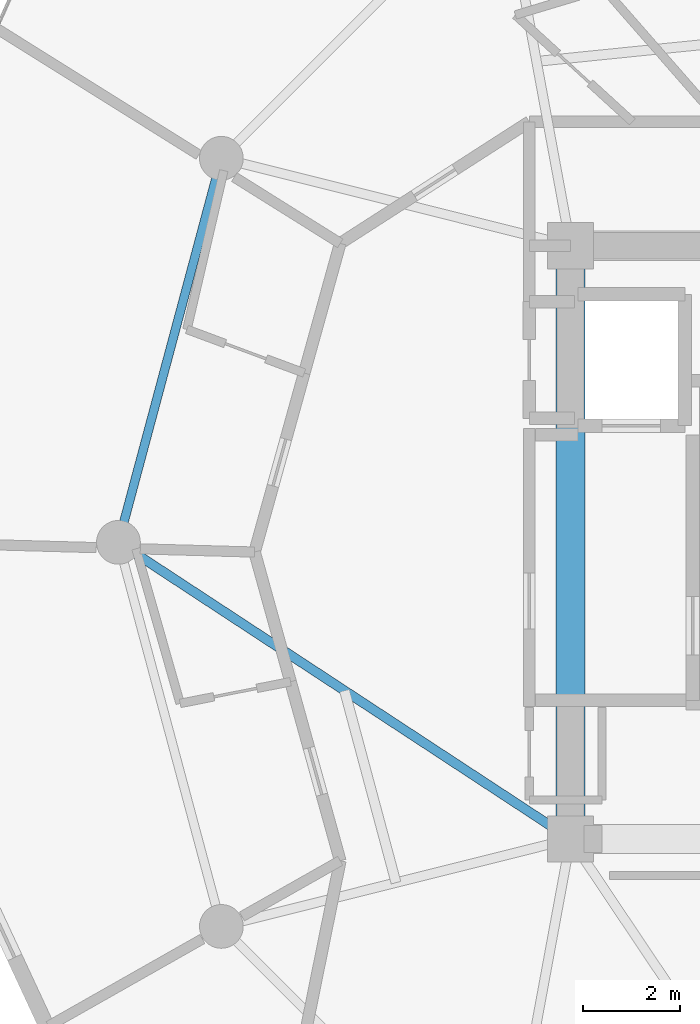
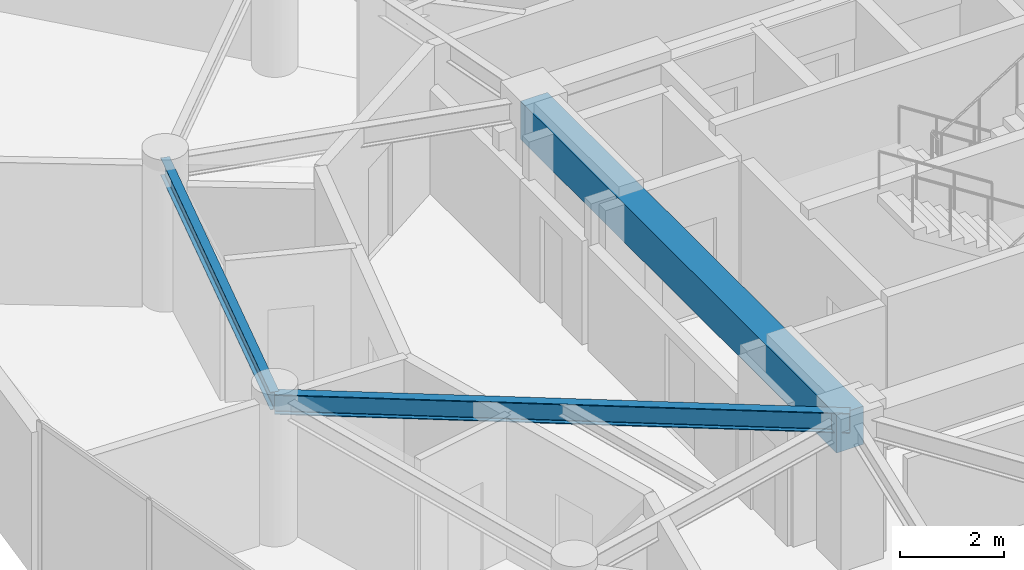
# One storey, part 8 of 22: 3 beams.
"""IFC4 building model written with IfcOpenShell, lengths in metres."""

import ifcopenshell
import ifcopenshell.guid

model = None  # the IFC model being written
_history = None  # IfcOwnerHistory: only IFC2X3 demands one
_inside = {}  # id of a spatial element -> (the spatial element, [elements in it])
_under = {}  # id of a project, library or spatial element -> (it, [spatial elements below it])
_declared = {}  # id of a project -> (the project, [libraries it declares])
_typed = {}  # id of a type object -> (the type object, [elements of that type])
_made_of = {}  # id of a material, layer set ... -> (it, [elements and type objects made of it])


def new_model(schema):
    """Start an empty IFC model of exactly this schema.

    Asked for "IFC4X3", IfcOpenShell would pick the latest addendum, in which some entities
    have other attributes; the version numbers below select the first issue.
    IFC2X3 requires an IfcOwnerHistory on every rooted entity: one is made here for all.
    """
    global model, _history
    if schema == "IFC4X3":
        model = ifcopenshell.file(schema_version=(4, 3, 0, 0))
    else:
        model = ifcopenshell.file(schema=schema)
    _inside.clear()
    _under.clear()
    _declared.clear()
    _typed.clear()
    _made_of.clear()
    _history = None
    if model.schema == "IFC2X3":
        org = make("IfcOrganization", Name="unknown")
        user = make(
            "IfcPersonAndOrganization",
            ThePerson=make("IfcPerson", FamilyName="unknown"),
            TheOrganization=org,
        )
        app = make(
            "IfcApplication",
            ApplicationDeveloper=org,
            Version="unknown",
            ApplicationFullName="unknown",
            ApplicationIdentifier="unknown",
        )
        _history = make(
            "IfcOwnerHistory",
            OwningUser=user,
            OwningApplication=app,
            ChangeAction="ADDED",
            CreationDate=0,
        )
    return model


def make(cls, **values):
    """One entity of the class cls with the attributes given. An attribute that is None is left unset."""
    return model.create_entity(
        cls, **{name: value for name, value in values.items() if value is not None}
    )


def rooted(cls, **values):
    """An entity with a GlobalId (a new one), such as an element, a storey or a relation."""
    return make(cls, GlobalId=ifcopenshell.guid.new(), OwnerHistory=_history, **values)


def si_unit(unit_type, name, prefix=None):
    """IfcSIUnit, for example si_unit("LENGTHUNIT", "METRE", prefix="MILLI")."""
    return make("IfcSIUnit", UnitType=unit_type, Prefix=prefix, Name=name)


def assignment(units):
    """IfcUnitAssignment: the units of a project."""
    return None if units is None else make("IfcUnitAssignment", Units=units)


def point(xyz):
    """IfcCartesianPoint."""
    return None if xyz is None else make("IfcCartesianPoint", Coordinates=xyz)


def direction(xyz):
    """IfcDirection."""
    return None if xyz is None else make("IfcDirection", DirectionRatios=xyz)


def frame(location, z_axis=None, x_axis=None):
    """IfcAxis2Placement3D, a coordinate frame: its origin and axes. An axis left out is left unset."""
    return make(
        "IfcAxis2Placement3D",
        Location=point(location),
        Axis=direction(z_axis),
        RefDirection=direction(x_axis),
    )


def frame_2d(location, x_axis=None):
    """IfcAxis2Placement2D, a coordinate frame in the plane: its origin and x axis."""
    return make(
        "IfcAxis2Placement2D", Location=point(location), RefDirection=direction(x_axis)
    )


def origin():
    """The frame at (0, 0, 0) with its axes left unset."""
    return frame((0.0, 0.0, 0.0))


def origin_2d():
    """The frame at (0, 0) in the plane with its x axis left unset."""
    return frame_2d((0.0, 0.0))


def place(relative_to, where):
    """IfcLocalPlacement: puts the frame where relative to a parent placement (None: the world)."""
    return make(
        "IfcLocalPlacement", PlacementRelTo=relative_to, RelativePlacement=where
    )


def context(
    kind, dimensions, precision=None, world=None, true_north=None, identifier=None
):
    """IfcGeometricRepresentationContext, for example the 3D "Model" context."""
    return make(
        "IfcGeometricRepresentationContext",
        ContextIdentifier=identifier,
        ContextType=kind,
        CoordinateSpaceDimension=dimensions,
        Precision=precision,
        WorldCoordinateSystem=world,
        TrueNorth=true_north,
    )


def subcontext(parent, identifier, kind, view, scale=None):
    """IfcGeometricRepresentationSubContext, for example "Body" below "Model"."""
    return make(
        "IfcGeometricRepresentationSubContext",
        ContextIdentifier=identifier,
        ContextType=kind,
        ParentContext=parent,
        TargetScale=scale,
        TargetView=view,
    )


def project(units=None, contexts=None):
    """IfcProject with its units and contexts."""
    return rooted(
        "IfcProject",
        Name="project",
        RepresentationContexts=contexts,
        UnitsInContext=assignment(units),
    )


def spatial(cls, under=None, at=None, **own):
    """A site, building, storey or space (cls), placed at a placement, below another one or the project."""
    s = rooted(cls, ObjectPlacement=at, **own)
    if under is not None:
        _under.setdefault(under.id(), (under, []))[1].append(s)
    return s


def profile(cls, at=None, kind="AREA", **sizes):
    """A parametric profile (cls). Its sizes go by their IFC names, for example OverallWidth=200.0."""
    return make(cls, ProfileType=kind, Position=at, **sizes)


def rectangle(**sizes):
    """IfcRectangleProfileDef."""
    return profile("IfcRectangleProfileDef", **sizes)


def i_section(**sizes):
    """IfcIShapeProfileDef."""
    return profile("IfcIShapeProfileDef", **sizes)


def extrude(swept, where, along, depth):
    """IfcExtrudedAreaSolid: the profile swept, set in the frame where, extruded along a direction by depth."""
    return make(
        "IfcExtrudedAreaSolid",
        SweptArea=swept,
        Position=where,
        ExtrudedDirection=direction(along),
        Depth=depth,
    )


def shape(context_of_items, identifier, shape_type, items):
    """IfcShapeRepresentation: the items that make up one representation, for example the "Body"."""
    return make(
        "IfcShapeRepresentation",
        ContextOfItems=context_of_items,
        RepresentationIdentifier=identifier,
        RepresentationType=shape_type,
        Items=items,
    )


def material(Name=None, Category=None):
    """IfcMaterial."""
    return make("IfcMaterial", Name=Name, Category=Category)


def material_profile(
    of_material, cross_section, Name=None, Category=None, Priority=None
):
    """IfcMaterialProfile: a cross section and its material."""
    return make(
        "IfcMaterialProfile",
        Name=Name,
        Material=of_material,
        Profile=cross_section,
        Priority=Priority,
        Category=Category,
    )


def profile_set(profiles, Name=None, composite=None):
    """IfcMaterialProfileSet."""
    return make(
        "IfcMaterialProfileSet",
        Name=Name,
        MaterialProfiles=profiles,
        CompositeProfile=composite,
    )


def made_of(thing, what):
    """Note that an element or type object is made of a material, layer set ...; save() writes the relation."""
    if what is not None:
        _made_of.setdefault(what.id(), (what, []))[1].append(thing)
    return thing


def type_object(cls, material=None, **own):
    """A type object (cls), such as IfcWallType, which elements share."""
    return made_of(rooted(cls, **own), material)


def element(
    cls,
    number,
    at=None,
    inside=None,
    cuts=None,
    type_object=None,
    material=None,
    context=None,
    identifier="Body",
    shape_type=None,
    held_by="IfcProductDefinitionShape",
    body=None,
    shapes=None,
    **own,
):
    """One element of the class cls, such as IfcWall. Its Tag is "e" and its number.

    at: its placement. inside: the storey or other place that contains it. cuts: it is an
    opening in that element (IfcRelVoidsElement). A single representation is given by context,
    identifier, shape_type and body (its items); several are given by shapes. held_by: the class
    of the entity that holds the representations. save() writes the other relations.
    """
    e = rooted(cls, Tag="e%d" % number, ObjectPlacement=at, **own)
    if body is not None:
        shapes = [shape(context, identifier, shape_type, body)]
    if shapes is not None:
        e.Representation = make(held_by, Representations=shapes)
    if inside is not None:
        _inside.setdefault(inside.id(), (inside, []))[1].append(e)
    if cuts is not None:
        rooted(
            "IfcRelVoidsElement", RelatingBuildingElement=cuts, RelatedOpeningElement=e
        )
    if type_object is not None:
        _typed.setdefault(type_object.id(), (type_object, []))[1].append(e)
    return made_of(e, material)


def aggregate(whole, parts):
    """IfcRelAggregates: a whole, such as a stair, and the parts it consists of."""
    return rooted("IfcRelAggregates", RelatingObject=whole, RelatedObjects=parts)


def save(model, path):
    """Write the relations noted so far, then the file.

    IfcRelAggregates (storeys below a building ...), IfcRelContainedInSpatialStructure (elements
    in a storey), IfcRelDefinesByType, IfcRelAssociatesMaterial and IfcRelDeclares: one each for
    every whole, place, type object, material and project.
    """
    for whole, parts in _under.values():
        aggregate(whole, parts)
    for where, things in _inside.values():
        rooted(
            "IfcRelContainedInSpatialStructure",
            RelatedElements=things,
            RelatingStructure=where,
        )
    for kind, things in _typed.values():
        rooted("IfcRelDefinesByType", RelatedObjects=things, RelatingType=kind)
    for what, things in _made_of.values():
        rooted("IfcRelAssociatesMaterial", RelatedObjects=things, RelatingMaterial=what)
    for by, libraries in _declared.values():
        rooted("IfcRelDeclares", RelatingContext=by, RelatedDefinitions=libraries)
    model.write(path)


model = new_model("IFC4")

# Units and contexts
model_context = context("Model", 3, precision=1e-05, world=origin(), true_north=direction((0.0, 1.0)))
body_context = subcontext(model_context, "Body", "Model", "MODEL_VIEW")
ifc_project = project(units=[si_unit("LENGTHUNIT", "METRE"), si_unit("AREAUNIT", "SQUARE_METRE"), si_unit("VOLUMEUNIT", "CUBIC_METRE"), si_unit("PLANEANGLEUNIT", "RADIAN"), si_unit("MASSUNIT", "GRAM", prefix="KILO")], contexts=[model_context])

# Site, building, storey
site_placement = place(None, origin())
site = spatial("IfcSite", under=ifc_project, at=site_placement, CompositionType="ELEMENT")
building_placement = place(site_placement, origin())
building = spatial("IfcBuilding", under=site, at=building_placement, Name="Solvirekh Grand Hotel", CompositionType="ELEMENT")
storey_placement = place(building_placement, frame((0.0, 0.0, 227.199951171875)))
storey = spatial("IfcBuildingStorey", under=building, at=storey_placement, Name="L59", CompositionType="ELEMENT", Elevation=227.199951171875)

# Beams
ifc_material_1 = material(Name="Concrete C50/60", Category="concrete")
ifc_material_profile_1 = material_profile(ifc_material_1, rectangle(XDim=0.60009765625, YDim=0.89990234375, at=origin_2d()), Name="RC BEAM 600X900")
ifc_profile_set_1 = profile_set([ifc_material_profile_1], Name="Concrete C50/60")
beam_type_1 = type_object("IfcBeamType", Name="Beam_Core_RC900", PredefinedType="BEAM", material=ifc_profile_set_1)
beam_1_placement = place(storey_placement, frame((-6.5, 6.10009765625, 2.91015625), z_axis=(0.0, -1.0, 0.0), x_axis=(1.0, 0.0, 0.0)))
element("IfcBeam", 1, at=beam_1_placement, inside=storey, type_object=beam_type_1, Name="L59 core coupling ring beam 4", PredefinedType="BEAM", context=body_context, shape_type="SweptSolid", body=[
    extrude(rectangle(XDim=0.60009765625, YDim=0.89990234375, at=origin_2d()), origin(), (0.0, 0.0, 1.0), 12.2001953125),
])
ifc_material_2 = material(Name="Steel S355", Category="steel")
ifc_material_profile_2 = material_profile(ifc_material_2, i_section(OverallWidth=0.194091796875, OverallDepth=0.468994140625, WebThickness=0.010986328125, FlangeThickness=0.01904296875, FilletRadius=0.012939453125, at=origin_2d()), Name="W460X106")
ifc_profile_set_2 = profile_set([ifc_material_profile_2], Name="Steel S355")
beam_type_2 = type_object("IfcBeamType", Name="Beam_Radial_W460H", PredefinedType="BEAM", material=ifc_profile_set_2)
beam_2_placement = place(storey_placement, frame((-6.5, -6.10009765625, 3.1259765625), z_axis=(-0.836174064962, 0.548464158432, 0.0), x_axis=(-0.548464158432, -0.836174064962, 0.0)))
element("IfcBeam", 2, at=beam_2_placement, inside=storey, type_object=beam_type_2, Name="L59 radial floor beam R07", PredefinedType="BEAM", context=body_context, shape_type="SweptSolid", body=[
    extrude(i_section(OverallWidth=0.194091796875, OverallDepth=0.468994140625, WebThickness=0.010986328125, FlangeThickness=0.01904296875, FilletRadius=0.012939453125, at=origin_2d()), origin(), (0.0, 0.0, 1.0), 11.1220703125),
])
ifc_material_profile_3 = material_profile(ifc_material_2, i_section(OverallWidth=0.180908203125, OverallDepth=0.4169921875, WebThickness=0.010009765625, FlangeThickness=0.01611328125, FilletRadius=0.011962890625, at=origin_2d()), Name="W410X85")
ifc_profile_set_3 = profile_set([ifc_material_profile_3], Name="Steel S355")
beam_type_3 = type_object("IfcBeamType", Name="Spandrel_Ring_W410", PredefinedType="SPANDREL", material=ifc_profile_set_3)
beam_3_placement = place(storey_placement, frame((-13.68310546875, 7.89990234375, 3.152099609375), z_axis=(-0.258838541915, -0.965920601923, 0.0), x_axis=(0.965920601923, -0.258838541915, 0.0)))
element("IfcBeam", 3, at=beam_3_placement, inside=storey, type_object=beam_type_3, Name="L59 perimeter spandrel beam 6", PredefinedType="SPANDREL", context=body_context, shape_type="SweptSolid", body=[
    extrude(i_section(OverallWidth=0.180908203125, OverallDepth=0.4169921875, WebThickness=0.010009765625, FlangeThickness=0.01611328125, FilletRadius=0.011962890625, at=origin_2d()), origin(), (0.0, 0.0, 1.0), 8.1787109375),
])

save(model, "model.ifc")
